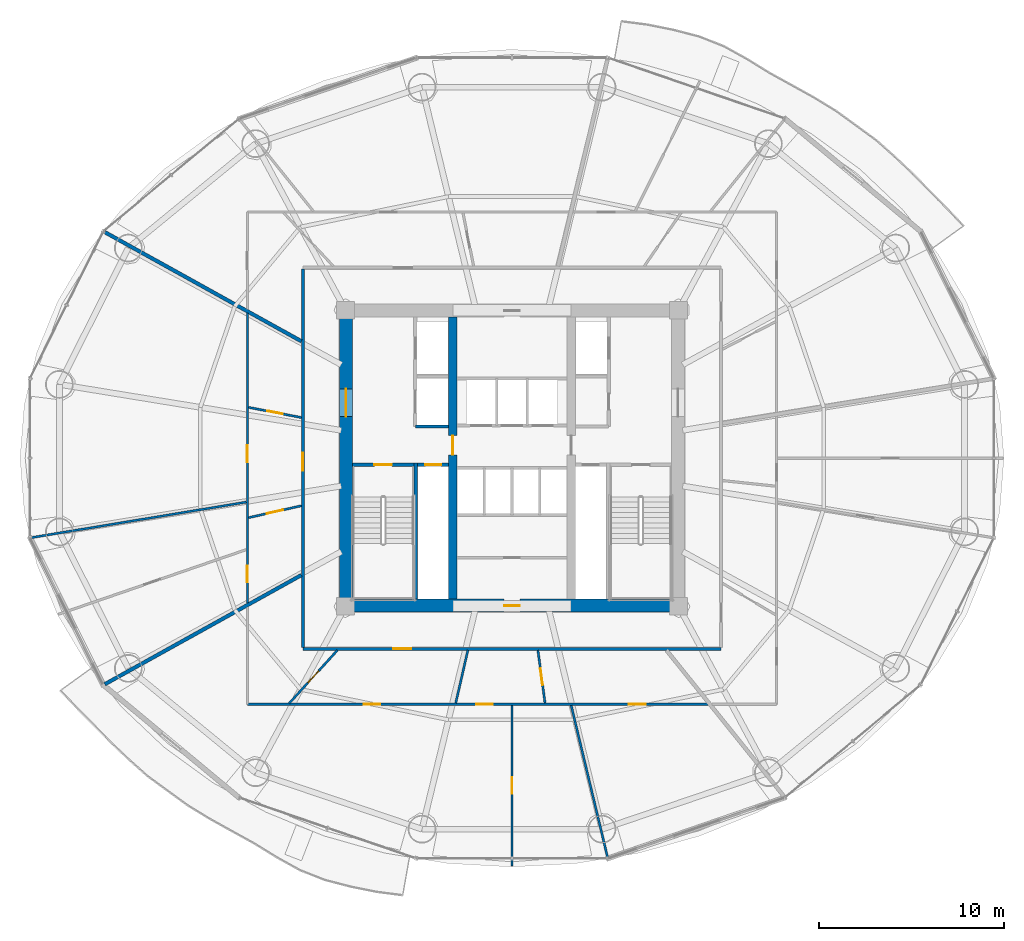
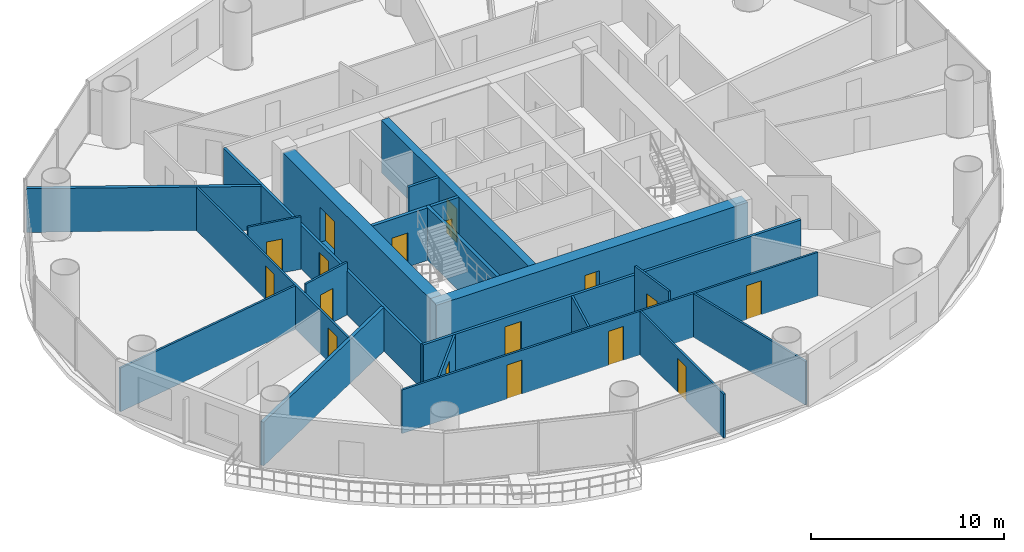
# One storey, part 22 of 29: 21 walls, 17 doors, 17 openings.
"""IFC4 building model written with IfcOpenShell, lengths in metres."""

from ifc_helpers import new_model, si_unit, direction, frame, frame_2d, origin, place, context, subcontext, project, spatial, rectangle, extrude, source, transform, mapped, material, layer, layer_set, type_object, element, fill, save


model = new_model("IFC4")

# Units and contexts
model_context = context("Model", 3, precision=1e-05, world=origin(), true_north=direction((-0.2419218956, 0.970295726276)))
body_context = subcontext(model_context, "Body", "Model", "MODEL_VIEW")
ifc_project = project(units=[si_unit("LENGTHUNIT", "METRE"), si_unit("AREAUNIT", "SQUARE_METRE"), si_unit("VOLUMEUNIT", "CUBIC_METRE"), si_unit("PLANEANGLEUNIT", "RADIAN"), si_unit("MASSUNIT", "GRAM", prefix="KILO")], contexts=[model_context])

# Site, building, storey
site_placement = place(None, origin())
site = spatial("IfcSite", under=ifc_project, at=site_placement, CompositionType="ELEMENT")
building_placement = place(site_placement, origin())
building = spatial("IfcBuilding", under=site, at=building_placement, Name="Cobrevalo Terracotta Tower", CompositionType="ELEMENT")
storey_placement = place(building_placement, frame((0.0, 0.0, 123.0)))
storey = spatial("IfcBuildingStorey", under=building, at=storey_placement, Name="L32", CompositionType="ELEMENT", Elevation=123.0)

# Wall, opening, door
ifc_material_1 = material(Name="Concrete C60", Category="concrete")
ifc_layer_1 = layer(ifc_material_1, 0.699951171875)
ifc_layer_set_1 = layer_set([ifc_layer_1], Name="Concrete C60")
wall_type_1 = type_object("IfcWallType", Name="Core shear wall 700 mm Concrete C60", PredefinedType="SHEAR", material=ifc_layer_set_1)
wall_1_placement = place(storey_placement, frame((28.675048828125, 18.824951171875, 0.0), z_axis=(0.0, 0.0, 1.0), x_axis=(1.0, 0.0, 0.0)))
wall_1 = element("IfcWall", 1, at=wall_1_placement, inside=storey, type_object=wall_type_1, Name="L32 south core shear wall", PredefinedType="SHEAR", context=body_context, shape_type="SweptSolid", body=[
    extrude(rectangle(XDim=18.64990234375, YDim=0.699951171875, at=frame_2d((9.324951171875, 0.0))), origin(), (0.0, 0.0, 1.0), 3.324951171875),
])
opening_1_placement = place(wall_1_placement, frame((8.89990234375, 0.0, 0.0)))
opening_1 = element("IfcOpeningElement", 2, at=opening_1_placement, cuts=wall_1, Name="Opening ID-22", PredefinedType="OPENING", context=body_context, shape_type="SweptSolid", body=[
    extrude(rectangle(XDim=0.85009765625, YDim=2.10009765625, at=frame_2d((0.425048828125, 1.050048828125))), frame((0.0, 0.35986328125, 0.0), z_axis=(0.0, -1.0, 0.0), x_axis=(1.0, 0.0, 0.0)), (0.0, 0.0, 1.0), 0.719970703125),
])
ifc_material_2 = material(Name="Powder-coated steel", Category="steel")
door_type_1 = type_object("IfcDoorType", Name="Riser shaft & meter closet fire access door 850x2100 EI 60", OperationType="NOTDEFINED", PredefinedType="DOOR", material=ifc_material_2)
shared_shape_1 = source(origin(), body_context, "Body", "SweptSolid", [
    extrude(rectangle(XDim=0.85009765625, YDim=2.10009765625, at=frame_2d((0.425048828125, 1.050048828125))), frame((0.0, 0.02490234375, 0.0), z_axis=(0.0, -1.0, 0.0), x_axis=(1.0, 0.0, 0.0)), (0.0, 0.0, 1.0), 0.050048828125),
])
door_1_placement = place(opening_1_placement, origin())
door_1 = element("IfcDoor", 3, at=door_1_placement, inside=storey, type_object=door_type_1, Name="L32 core south plant door Smoke Extract Fan Plant", OperationType="SINGLE_SWING_RIGHT", OverallHeight=2.10009765625, OverallWidth=0.85009765625, PredefinedType="DOOR", context=body_context, shape_type="MappedRepresentation", body=[
    mapped(shared_shape_1, transform((0.0, 0.0, 0.0), scale=1.0)),
])
fill(opening_1, door_1)

wall_2_placement = place(storey_placement, frame((29.02490234375, 19.175048828125, 0.0), z_axis=(0.0, 0.0, 1.0), x_axis=(0.0, 1.0, 0.0)))
wall_2 = element("IfcWall", 4, at=wall_2_placement, inside=storey, type_object=wall_type_1, Name="L32 west core shear wall", PredefinedType="SHEAR", context=body_context, shape_type="SweptSolid", body=[
    extrude(rectangle(XDim=15.25, YDim=0.699951171875, at=frame_2d((7.625, 0.0))), origin(), (0.0, 0.0, 1.0), 3.324951171875),
])
opening_2_placement = place(wall_2_placement, frame((9.875, 0.0, 0.0)))
opening_2 = element("IfcOpeningElement", 5, at=opening_2_placement, cuts=wall_2, Name="Opening ID-14", PredefinedType="OPENING", context=body_context, shape_type="SweptSolid", body=[
    extrude(rectangle(XDim=1.5, YDim=2.199951171875, at=frame_2d((0.75, 1.10009765625))), frame((0.0, 0.35986328125, 0.0), z_axis=(0.0, -1.0, 0.0), x_axis=(1.0, 0.0, 0.0)), (0.0, 0.0, 1.0), 0.719970703125),
])
ifc_material_3 = material(Name="Galvanized fire-rated steel", Category="steel")
door_type_2 = type_object("IfcDoorType", Name="Core cross-lobby double fire door 1500x2200 EI 90", OperationType="NOTDEFINED", PredefinedType="DOOR", material=ifc_material_3)
shared_shape_2 = source(origin(), body_context, "Body", "SweptSolid", [
    extrude(rectangle(XDim=1.5, YDim=2.199951171875, at=frame_2d((0.75, 1.10009765625))), frame((0.0, 0.02490234375, 0.0), z_axis=(0.0, -1.0, 0.0), x_axis=(1.0, 0.0, 0.0)), (0.0, 0.0, 1.0), 0.050048828125),
])
door_2_placement = place(opening_2_placement, origin())
door_2 = element("IfcDoor", 6, at=door_2_placement, inside=storey, type_object=door_type_2, Name="L32 west firefighting lobby entrance door", OperationType="DOUBLE_DOOR_SINGLE_SWING", OverallHeight=2.199951171875, OverallWidth=1.5, PredefinedType="DOOR", context=body_context, shape_type="MappedRepresentation", body=[
    mapped(shared_shape_2, transform((0.0, 0.0, 0.0), scale=1.0)),
])
fill(opening_2, door_2)

# Wall
ifc_material_4 = material(Name="Gypsum board on steel stud", Category="steel")
ifc_layer_2 = layer(ifc_material_4, 0.159912109375)
ifc_layer_set_2 = layer_set([ifc_layer_2], Name="Gypsum board on steel stud")
wall_type_2 = type_object("IfcWallType", Name="Fire-rated corridor acoustic partition wall 160 mm", PredefinedType="PARTITIONING", material=ifc_layer_set_2)
wall_3_placement = place(storey_placement, frame((32.77001953125, 28.52001953125, 0.0), z_axis=(0.0, 0.0, 1.0), x_axis=(1.0, 0.0, 0.0)))
element("IfcWall", 7, at=wall_3_placement, inside=storey, type_object=wall_type_2, Name="L32 interior partition IW-L32-FF1-S", PredefinedType="PARTITIONING", context=body_context, shape_type="SweptSolid", body=[
    extrude(rectangle(XDim=1.804931640625, YDim=0.159912109375, at=frame_2d((0.90234375, 0.0))), origin(), (0.0, 0.0, 1.0), 3.324951171875),
])

# Wall, opening, door
wall_4_placement = place(storey_placement, frame((26.695068359375, 16.4951171875, 0.0), z_axis=(0.0, 0.0, 1.0), x_axis=(1.0, 0.0, 0.0)))
wall_4 = element("IfcWall", 8, at=wall_4_placement, inside=storey, type_object=wall_type_2, Name="L32 interior partition IW-L32-COR-S", PredefinedType="PARTITIONING", context=body_context, shape_type="SweptSolid", body=[
    extrude(rectangle(XDim=22.60986328125, YDim=0.159912109375, at=frame_2d((11.304931640625, 0.0))), origin(), (0.0, 0.0, 1.0), 2.76708984375),
])
opening_3_placement = place(wall_4_placement, frame((4.88330078125, 0.0, 0.0)))
opening_3 = element("IfcOpeningElement", 9, at=opening_3_placement, cuts=wall_4, Name="Opening ID-05", PredefinedType="OPENING", context=body_context, shape_type="SweptSolid", body=[
    extrude(rectangle(XDim=0.97998046875, YDim=2.199951171875, at=frame_2d((0.489990234375, 1.10009765625))), frame((0.0, 0.08984375, 0.0), z_axis=(0.0, -1.0, 0.0), x_axis=(1.0, 0.0, 0.0)), (0.0, 0.0, 1.0), 0.179931640625),
])
ifc_material_5 = material(Name="Solid hardwood timber", Category="wood")
door_type_3 = type_object("IfcDoorType", Name="Residence entrance fire-rated acoustic timber door 980x2200 EI 60", OperationType="NOTDEFINED", PredefinedType="DOOR", material=ifc_material_5)
shared_shape_3 = source(origin(), body_context, "Body", "SweptSolid", [
    extrude(rectangle(XDim=0.97998046875, YDim=2.199951171875, at=frame_2d((0.489990234375, 1.10009765625))), frame((0.0, 0.02490234375, 0.0), z_axis=(0.0, -1.0, 0.0), x_axis=(1.0, 0.0, 0.0)), (0.0, 0.0, 1.0), 0.050048828125),
])
door_3_placement = place(opening_3_placement, frame((0.97998046875, 0.0, 0.0), z_axis=(0.0, 0.0, 1.0), x_axis=(-1.0, 0.0, 0.0)))
door_3 = element("IfcDoor", 10, at=door_3_placement, inside=storey, type_object=door_type_3, Name="Flat L32D fire-rated apartment entrance door", OperationType="SINGLE_SWING_RIGHT", OverallHeight=2.199951171875, OverallWidth=0.97998046875, PredefinedType="DOOR", context=body_context, shape_type="MappedRepresentation", body=[
    mapped(shared_shape_3, transform((0.0, 0.0, 0.0), scale=1.0)),
])
fill(opening_3, door_3)

wall_5_placement = place(storey_placement, frame((26.695068359375, 16.574951171875, 0.0), z_axis=(0.0, 0.0, 1.0), x_axis=(0.0, 1.0, 0.0)))
wall_5 = element("IfcWall", 11, at=wall_5_placement, inside=storey, type_object=wall_type_2, Name="L32 interior partition IW-L32-COR-W", PredefinedType="PARTITIONING", context=body_context, shape_type="SweptSolid", body=[
    extrude(rectangle(XDim=20.449951171875, YDim=0.159912109375, at=frame_2d((10.22509765625, 0.0))), origin(), (0.0, 0.0, 1.0), 2.76708984375),
])
opening_4_placement = place(wall_5_placement, frame((9.54736328125, 0.0, 0.0)))
opening_4 = element("IfcOpeningElement", 12, at=opening_4_placement, cuts=wall_5, Name="Opening ID-05", PredefinedType="OPENING", context=body_context, shape_type="SweptSolid", body=[
    extrude(rectangle(XDim=0.97998046875, YDim=2.199951171875, at=frame_2d((0.489990234375, 1.10009765625))), frame((0.0, 0.08984375, 0.0), z_axis=(0.0, -1.0, 0.0), x_axis=(1.0, 0.0, 0.0)), (0.0, 0.0, 1.0), 0.179931640625),
])
door_4_placement = place(opening_4_placement, origin())
door_4 = element("IfcDoor", 13, at=door_4_placement, inside=storey, type_object=door_type_3, Name="Flat L32C fire-rated apartment entrance door", OperationType="SINGLE_SWING_RIGHT", OverallHeight=2.199951171875, OverallWidth=0.97998046875, PredefinedType="DOOR", context=body_context, shape_type="MappedRepresentation", body=[
    mapped(shared_shape_3, transform((0.0, 0.0, 0.0), scale=1.0)),
])
fill(opening_4, door_4)

ifc_layer_3 = layer(ifc_material_4, 0.179931640625)
ifc_layer_set_3 = layer_set([ifc_layer_3], Name="Gypsum board on steel stud")
wall_type_3 = type_object("IfcWallType", Name="Fire-rated shaft & lobby acoustic partition wall 180 mm", PredefinedType="PARTITIONING", material=ifc_layer_set_3)
wall_6_placement = place(storey_placement, frame((32.89990234375, 26.449951171875, 0.0), z_axis=(0.0, 0.0, 1.0), x_axis=(1.0, 0.0, 0.0)))
wall_6 = element("IfcWall", 14, at=wall_6_placement, inside=storey, type_object=wall_type_3, Name="L32 interior partition IW-L32-RSW-N", PredefinedType="PARTITIONING", context=body_context, shape_type="SweptSolid", body=[
    extrude(rectangle(XDim=1.675048828125, YDim=0.179931640625, at=frame_2d((0.83740234375, 0.0))), origin(), (0.0, 0.0, 1.0), 3.324951171875),
])
opening_5_placement = place(wall_6_placement, frame((0.41259765625, 0.0, 0.0)))
opening_5 = element("IfcOpeningElement", 15, at=opening_5_placement, cuts=wall_6, Name="Opening ID-22", PredefinedType="OPENING", context=body_context, shape_type="SweptSolid", body=[
    extrude(rectangle(XDim=0.85009765625, YDim=2.10009765625, at=frame_2d((0.425048828125, 1.050048828125))), frame((0.0, 0.10009765625, 0.0), z_axis=(0.0, -1.0, 0.0), x_axis=(1.0, 0.0, 0.0)), (0.0, 0.0, 1.0), 0.199951171875),
])
door_5_placement = place(opening_5_placement, origin())
door_5 = element("IfcDoor", 16, at=door_5_placement, inside=storey, type_object=door_type_1, Name="L32 riser access door RSW", OperationType="SINGLE_SWING_LEFT", OverallHeight=2.10009765625, OverallWidth=0.85009765625, PredefinedType="DOOR", context=body_context, shape_type="MappedRepresentation", body=[
    mapped(shared_shape_1, transform((0.0, 0.0, 0.0), scale=1.0)),
])
fill(opening_5, door_5)

# Walls
ifc_material_6 = material(Name="Autoclaved aerated concrete block", Category="concrete")
ifc_layer_4 = layer(ifc_material_6, 0.199951171875)
ifc_layer_set_4 = layer_set([ifc_layer_4], Name="Autoclaved aerated concrete block")
wall_type_4 = type_object("IfcWallType", Name="Fire-rated stair, shaft & demising masonry wall 200 mm", PredefinedType="PARTITIONING", material=ifc_layer_set_4)
wall_7_placement = place(storey_placement, frame((26.614990234375, 33.120361328125, 0.0), z_axis=(0.0, 0.0, 1.0), x_axis=(-0.874319192772, 0.485351366692, 0.0)))
element("IfcWall", 17, at=wall_7_placement, inside=storey, type_object=wall_type_4, Name="L32 interior partition IW-L32-DEM-3", PredefinedType="PARTITIONING", context=body_context, shape_type="SweptSolid", body=[
    extrude(rectangle(XDim=12.158447265625, YDim=0.199951171875, at=frame_2d((6.0791015625, 0.0))), origin(), (0.0, 0.0, 1.0), 2.76708984375),
])
wall_8_placement = place(storey_placement, frame((26.614990234375, 20.479736328125, 0.0), z_axis=(0.0, 0.0, 1.0), x_axis=(-0.874310671773, -0.48536671623, 0.0)))
element("IfcWall", 18, at=wall_8_placement, inside=storey, type_object=wall_type_4, Name="L32 interior partition IW-L32-DEM-4", PredefinedType="PARTITIONING", context=body_context, shape_type="SweptSolid", body=[
    extrude(rectangle(XDim=12.15869140625, YDim=0.199951171875, at=frame_2d((6.079345703125, 0.0))), origin(), (0.0, 0.0, 1.0), 2.76708984375),
])

# Wall, opening, door
ifc_material_7 = material(Name="Concrete C55", Category="concrete")
ifc_layer_5 = layer(ifc_material_7, 0.449951171875)
ifc_layer_set_5 = layer_set([ifc_layer_5], Name="Concrete C55")
wall_type_5 = type_object("IfcWallType", Name="Internal core shear web wall 450 mm Concrete C55", PredefinedType="SHEAR", material=ifc_layer_set_5)
wall_9_placement = place(storey_placement, frame((34.800048828125, 19.175048828125, 0.0), z_axis=(0.0, 0.0, 1.0), x_axis=(0.0, 1.0, 0.0)))
wall_9 = element("IfcWall", 19, at=wall_9_placement, inside=storey, type_object=wall_type_5, Name="L32 internal core shear wall WEB-W", PredefinedType="SHEAR", context=body_context, shape_type="SweptSolid", body=[
    extrude(rectangle(XDim=15.25, YDim=0.449951171875, at=frame_2d((7.625, 0.0))), origin(), (0.0, 0.0, 1.0), 3.324951171875),
])
opening_6_placement = place(wall_9_placement, frame((7.800048828125, 0.0, 0.0)))
opening_6 = element("IfcOpeningElement", 20, at=opening_6_placement, cuts=wall_9, Name="Opening ID-11", PredefinedType="OPENING", context=body_context, shape_type="SweptSolid", body=[
    extrude(rectangle(XDim=1.050048828125, YDim=2.14990234375, at=frame_2d((0.52490234375, 1.074951171875))), frame((0.0, 0.23486328125, 0.0), z_axis=(0.0, -1.0, 0.0), x_axis=(1.0, 0.0, 0.0)), (0.0, 0.0, 1.0), 0.469970703125),
])
door_type_4 = type_object("IfcDoorType", Name="Core concourse cross fire door 1050x2150 EI 90", OperationType="NOTDEFINED", PredefinedType="DOOR", material=ifc_material_3)
shared_shape_4 = source(origin(), body_context, "Body", "SweptSolid", [
    extrude(rectangle(XDim=1.050048828125, YDim=2.14990234375, at=frame_2d((0.52490234375, 1.074951171875))), frame((0.0, 0.02490234375, 0.0), z_axis=(0.0, -1.0, 0.0), x_axis=(1.0, 0.0, 0.0)), (0.0, 0.0, 1.0), 0.050048828125),
])
door_6_placement = place(opening_6_placement, origin())
door_6 = element("IfcDoor", 21, at=door_6_placement, inside=storey, type_object=door_type_4, Name="L32 west core concourse cross door", OperationType="SINGLE_SWING_LEFT", OverallHeight=2.14990234375, OverallWidth=1.050048828125, PredefinedType="DOOR", context=body_context, shape_type="MappedRepresentation", body=[
    mapped(shared_shape_4, transform((0.0, 0.0, 0.0), scale=1.0)),
])
fill(opening_6, door_6)

# Wall, openings, doors
ifc_layer_6 = layer(ifc_material_4, 0.1201171875)
ifc_layer_set_6 = layer_set([ifc_layer_6], Name="Gypsum board on steel stud")
wall_type_6 = type_object("IfcWallType", Name="Residential internal acoustic stud partition 120 mm", PredefinedType="PARTITIONING", material=ifc_layer_set_6)
wall_10_placement = place(storey_placement, frame((23.695068359375, 18.960693359375, 0.0), z_axis=(0.0, 0.0, 1.0), x_axis=(0.0, 1.0, 0.0)))
wall_10 = element("IfcWall", 22, at=wall_10_placement, inside=storey, type_object=wall_type_6, Name="L32 interior partition IW-L32-U3-RING0_0", PredefinedType="PARTITIONING", context=body_context, shape_type="SweptSolid", body=[
    extrude(rectangle(XDim=15.6787109375, YDim=0.1201171875, at=frame_2d((7.83935546875, 0.0))), origin(), (0.0, 0.0, 1.0), 2.76708984375),
])
opening_7_placement = place(wall_10_placement, frame((7.62548828125, 0.0, 0.0)))
opening_7 = element("IfcOpeningElement", 23, at=opening_7_placement, cuts=wall_10, Name="Opening ID-12", PredefinedType="OPENING", context=body_context, shape_type="SweptSolid", body=[
    extrude(rectangle(XDim=0.89990234375, YDim=2.14990234375, at=frame_2d((0.449951171875, 1.074951171875))), frame((0.0, 0.070068359375, 0.0), z_axis=(0.0, -1.0, 0.0), x_axis=(1.0, 0.0, 0.0)), (0.0, 0.0, 1.0), 0.14013671875),
])
opening_8_placement = place(wall_10_placement, frame((1.128173828125, 0.0, 0.0)))
opening_8 = element("IfcOpeningElement", 24, at=opening_8_placement, cuts=wall_10, Name="Opening ID-12", PredefinedType="OPENING", context=body_context, shape_type="SweptSolid", body=[
    extrude(rectangle(XDim=0.89990234375, YDim=2.14990234375, at=frame_2d((0.449951171875, 1.074951171875))), frame((0.0, 0.070068359375, 0.0), z_axis=(0.0, -1.0, 0.0), x_axis=(1.0, 0.0, 0.0)), (0.0, 0.0, 1.0), 0.14013671875),
])
ifc_material_8 = material(Name="Engineered timber", Category="wood")
door_type_5 = type_object("IfcDoorType", Name="Internal residence & suite timber door 900x2150", OperationType="NOTDEFINED", PredefinedType="DOOR", material=ifc_material_8)
shared_shape_5 = source(origin(), body_context, "Body", "SweptSolid", [
    extrude(rectangle(XDim=0.89990234375, YDim=2.14990234375, at=frame_2d((0.449951171875, 1.074951171875))), frame((0.0, 0.02490234375, 0.0), z_axis=(0.0, -1.0, 0.0), x_axis=(1.0, 0.0, 0.0)), (0.0, 0.0, 1.0), 0.050048828125),
])
door_7_placement = place(opening_7_placement, origin())
door_7 = element("IfcDoor", 25, at=door_7_placement, inside=storey, type_object=door_type_5, Name="Flat L32C Penthouse Living and Dining Room internal door", OperationType="SINGLE_SWING_RIGHT", OverallHeight=2.14990234375, OverallWidth=0.89990234375, PredefinedType="DOOR", context=body_context, shape_type="MappedRepresentation", body=[
    mapped(shared_shape_5, transform((0.0, 0.0, 0.0), scale=1.0)),
])
fill(opening_7, door_7)
door_8_placement = place(opening_8_placement, origin())
door_8 = element("IfcDoor", 26, at=door_8_placement, inside=storey, type_object=door_type_5, Name="Flat L32C Penthouse Family Lounge internal door", OperationType="SINGLE_SWING_RIGHT", OverallHeight=2.14990234375, OverallWidth=0.89990234375, PredefinedType="DOOR", context=body_context, shape_type="MappedRepresentation", body=[
    mapped(shared_shape_5, transform((0.0, 0.0, 0.0), scale=1.0)),
])
fill(opening_8, door_8)

# Wall
wall_11_placement = place(storey_placement, frame((23.6337890625, 24.42578125, 0.0), z_axis=(0.0, 0.0, 1.0), x_axis=(-0.986619012175, -0.163042708564, 0.0)))
element("IfcWall", 27, at=wall_11_placement, inside=storey, type_object=wall_type_6, Name="L32 interior partition IW-L32-U3-ORAD1", PredefinedType="PARTITIONING", context=body_context, shape_type="SweptSolid", body=[
    extrude(rectangle(XDim=11.76513671875, YDim=0.1201171875, at=frame_2d((5.882568359375, 0.0))), origin(), (0.0, 0.0, 1.0), 2.76708984375),
])

# Wall, opening, door
wall_12_placement = place(storey_placement, frame((26.614990234375, 28.996337890625, 0.0), z_axis=(0.0, 0.0, 1.0), x_axis=(-0.98189924136, 0.189404012145, 0.0)))
wall_12 = element("IfcWall", 28, at=wall_12_placement, inside=storey, type_object=wall_type_6, Name="L32 interior partition IW-L32-U3-IRAD1", PredefinedType="PARTITIONING", context=body_context, shape_type="SweptSolid", body=[
    extrude(rectangle(XDim=2.911865234375, YDim=0.1201171875, at=frame_2d((1.4560546875, 0.0))), origin(), (0.0, 0.0, 1.0), 3.324951171875),
])
opening_9_placement = place(wall_12_placement, frame((1.02587890625, 0.0, 0.0)))
opening_9 = element("IfcOpeningElement", 29, at=opening_9_placement, cuts=wall_12, Name="Opening ID-19", PredefinedType="OPENING", context=body_context, shape_type="SweptSolid", body=[
    extrude(rectangle(XDim=0.860107421875, YDim=2.14990234375, at=frame_2d((0.43017578125, 1.074951171875))), frame((0.0, 0.070068359375, 0.0), z_axis=(0.0, -1.0, 0.0), x_axis=(1.0, 0.0, 0.0)), (0.0, 0.0, 1.0), 0.14013671875),
])
ifc_material_9 = material(Name="Moisture-sealed timber", Category="wood")
door_type_6 = type_object("IfcDoorType", Name="Suite bathroom internal timber door 860x2150", OperationType="NOTDEFINED", PredefinedType="DOOR", material=ifc_material_9)
shared_shape_6 = source(origin(), body_context, "Body", "SweptSolid", [
    extrude(rectangle(XDim=0.860107421875, YDim=2.14990234375, at=frame_2d((0.43017578125, 1.074951171875))), frame((0.0, 0.02490234375, 0.0), z_axis=(0.0, -1.0, 0.0), x_axis=(1.0, 0.0, 0.0)), (0.0, 0.0, 1.0), 0.050048828125),
])
door_9_placement = place(opening_9_placement, frame((0.860107421875, 0.0, 0.0), z_axis=(0.0, 0.0, 1.0), x_axis=(-1.0, 0.0, 0.0)))
door_9 = element("IfcDoor", 30, at=door_9_placement, inside=storey, type_object=door_type_6, Name="Flat L32C Primary Bathroom internal door", OperationType="SINGLE_SWING_LEFT", OverallHeight=2.14990234375, OverallWidth=0.860107421875, PredefinedType="DOOR", context=body_context, shape_type="MappedRepresentation", body=[
    mapped(shared_shape_6, transform((0.0, 0.0, 0.0), scale=1.0)),
])
fill(opening_9, door_9)

wall_13_placement = place(storey_placement, frame((26.614990234375, 24.22802734375, 0.0), z_axis=(0.0, 0.0, 1.0), x_axis=(-0.975420797165, -0.220350331196, 0.0)))
wall_13 = element("IfcWall", 31, at=wall_13_placement, inside=storey, type_object=wall_type_6, Name="L32 interior partition IW-L32-U3-IRAD2", PredefinedType="PARTITIONING", context=body_context, shape_type="SweptSolid", body=[
    extrude(rectangle(XDim=2.931640625, YDim=0.1201171875, at=frame_2d((1.4658203125, 0.0))), origin(), (0.0, 0.0, 1.0), 3.324951171875),
])
opening_10_placement = place(wall_13_placement, frame((1.015869140625, 0.0, 0.0)))
opening_10 = element("IfcOpeningElement", 32, at=opening_10_placement, cuts=wall_13, Name="Opening ID-12", PredefinedType="OPENING", context=body_context, shape_type="SweptSolid", body=[
    extrude(rectangle(XDim=0.89990234375, YDim=2.14990234375, at=frame_2d((0.449951171875, 1.074951171875))), frame((0.0, 0.070068359375, 0.0), z_axis=(0.0, -1.0, 0.0), x_axis=(1.0, 0.0, 0.0)), (0.0, 0.0, 1.0), 0.14013671875),
])
door_10_placement = place(opening_10_placement, origin())
door_10 = element("IfcDoor", 33, at=door_10_placement, inside=storey, type_object=door_type_5, Name="Flat L32C Kitchen internal door", OperationType="SINGLE_SWING_LEFT", OverallHeight=2.14990234375, OverallWidth=0.89990234375, PredefinedType="DOOR", context=body_context, shape_type="MappedRepresentation", body=[
    mapped(shared_shape_5, transform((0.0, 0.0, 0.0), scale=1.0)),
])
fill(opening_10, door_10)

# Wall, openings, doors
wall_14_placement = place(storey_placement, frame((48.598388671875, 13.4951171875, 0.0), z_axis=(0.0, 0.0, 1.0), x_axis=(-1.0, 0.0, 0.0)))
wall_14 = element("IfcWall", 34, at=wall_14_placement, inside=storey, type_object=wall_type_6, Name="L32 interior partition IW-L32-U4-RING0_0", PredefinedType="PARTITIONING", context=body_context, shape_type="SweptSolid", body=[
    extrude(rectangle(XDim=24.9033203125, YDim=0.1201171875, at=frame_2d((12.45166015625, 0.0))), origin(), (0.0, 0.0, 1.0), 2.76708984375),
])
opening_11_placement = place(wall_14_placement, frame((17.720458984375, 0.0, 0.0)))
opening_11 = element("IfcOpeningElement", 35, at=opening_11_placement, cuts=wall_14, Name="Opening ID-12", PredefinedType="OPENING", context=body_context, shape_type="SweptSolid", body=[
    extrude(rectangle(XDim=0.89990234375, YDim=2.14990234375, at=frame_2d((0.449951171875, 1.074951171875))), frame((0.0, 0.070068359375, 0.0), z_axis=(0.0, -1.0, 0.0), x_axis=(1.0, 0.0, 0.0)), (0.0, 0.0, 1.0), 0.14013671875),
])
opening_12_placement = place(wall_14_placement, frame((11.636962890625, 0.0, 0.0)))
opening_12 = element("IfcOpeningElement", 36, at=opening_12_placement, cuts=wall_14, Name="Opening ID-12", PredefinedType="OPENING", context=body_context, shape_type="SweptSolid", body=[
    extrude(rectangle(XDim=0.89990234375, YDim=2.14990234375, at=frame_2d((0.449951171875, 1.074951171875))), frame((0.0, 0.070068359375, 0.0), z_axis=(0.0, -1.0, 0.0), x_axis=(1.0, 0.0, 0.0)), (0.0, 0.0, 1.0), 0.14013671875),
])
opening_13_placement = place(wall_14_placement, frame((3.376220703125, 0.0, 0.0)))
opening_13 = element("IfcOpeningElement", 37, at=opening_13_placement, cuts=wall_14, Name="Opening ID-12", PredefinedType="OPENING", context=body_context, shape_type="SweptSolid", body=[
    extrude(rectangle(XDim=0.89990234375, YDim=2.14990234375, at=frame_2d((0.449951171875, 1.074951171875))), frame((0.0, 0.070068359375, 0.0), z_axis=(0.0, -1.0, 0.0), x_axis=(1.0, 0.0, 0.0)), (0.0, 0.0, 1.0), 0.14013671875),
])
door_11_placement = place(opening_11_placement, origin())
door_11 = element("IfcDoor", 38, at=door_11_placement, inside=storey, type_object=door_type_5, Name="Flat L32D Penthouse Living and Dining Room internal door", OperationType="SINGLE_SWING_RIGHT", OverallHeight=2.14990234375, OverallWidth=0.89990234375, PredefinedType="DOOR", context=body_context, shape_type="MappedRepresentation", body=[
    mapped(shared_shape_5, transform((0.0, 0.0, 0.0), scale=1.0)),
])
fill(opening_11, door_11)
door_12_placement = place(opening_12_placement, frame((0.89990234375, 0.0, 0.0), z_axis=(0.0, 0.0, 1.0), x_axis=(-1.0, 0.0, 0.0)))
door_12 = element("IfcDoor", 39, at=door_12_placement, inside=storey, type_object=door_type_5, Name="Flat L32D Kitchen internal door", OperationType="SINGLE_SWING_LEFT", OverallHeight=2.14990234375, OverallWidth=0.89990234375, PredefinedType="DOOR", context=body_context, shape_type="MappedRepresentation", body=[
    mapped(shared_shape_5, transform((0.0, 0.0, 0.0), scale=1.0)),
])
fill(opening_12, door_12)
door_13_placement = place(opening_13_placement, origin())
door_13 = element("IfcDoor", 40, at=door_13_placement, inside=storey, type_object=door_type_5, Name="Flat L32D Penthouse Family Lounge internal door", OperationType="SINGLE_SWING_RIGHT", OverallHeight=2.14990234375, OverallWidth=0.89990234375, PredefinedType="DOOR", context=body_context, shape_type="MappedRepresentation", body=[
    mapped(shared_shape_5, transform((0.0, 0.0, 0.0), scale=1.0)),
])
fill(opening_13, door_13)

# Wall, opening, door
wall_15_placement = place(storey_placement, frame((38.0, 13.43310546875, 0.0), z_axis=(0.0, 0.0, 1.0), x_axis=(0.0, -1.0, 0.0)))
wall_15 = element("IfcWall", 41, at=wall_15_placement, inside=storey, type_object=wall_type_6, Name="L32 interior partition IW-L32-U4-ORAD1", PredefinedType="PARTITIONING", context=body_context, shape_type="SweptSolid", body=[
    extrude(rectangle(XDim=8.673095703125, YDim=0.1201171875, at=frame_2d((4.33642578125, 0.0))), origin(), (0.0, 0.0, 1.0), 2.76708984375),
])
opening_14_placement = place(wall_15_placement, frame((3.886474609375, 0.0, 0.0)))
opening_14 = element("IfcOpeningElement", 42, at=opening_14_placement, cuts=wall_15, Name="Opening ID-12", PredefinedType="OPENING", context=body_context, shape_type="SweptSolid", body=[
    extrude(rectangle(XDim=0.89990234375, YDim=2.14990234375, at=frame_2d((0.449951171875, 1.074951171875))), frame((0.0, 0.070068359375, 0.0), z_axis=(0.0, -1.0, 0.0), x_axis=(1.0, 0.0, 0.0)), (0.0, 0.0, 1.0), 0.14013671875),
])
door_14_placement = place(opening_14_placement, origin())
door_14 = element("IfcDoor", 43, at=door_14_placement, inside=storey, type_object=door_type_5, Name="Flat L32D Master Bedroom internal door", OperationType="SINGLE_SWING_LEFT", OverallHeight=2.14990234375, OverallWidth=0.89990234375, PredefinedType="DOOR", context=body_context, shape_type="MappedRepresentation", body=[
    mapped(shared_shape_5, transform((0.0, 0.0, 0.0), scale=1.0)),
])
fill(opening_14, door_14)

# Wall
wall_16_placement = place(storey_placement, frame((41.199951171875, 13.434814453125, 0.0), z_axis=(0.0, 0.0, 1.0), x_axis=(0.232814779051, -0.972521094196, 0.0)))
element("IfcWall", 44, at=wall_16_placement, inside=storey, type_object=wall_type_6, Name="L32 interior partition IW-L32-U4-ORAD2M1", PredefinedType="PARTITIONING", context=body_context, shape_type="SweptSolid", body=[
    extrude(rectangle(XDim=8.4375, YDim=0.1201171875, at=frame_2d((4.21875, 0.0))), origin(), (0.0, 0.0, 1.0), 2.76708984375),
])

# Wall, opening, door
wall_17_placement = place(storey_placement, frame((28.560791015625, 16.4150390625, 0.0), z_axis=(0.0, 0.0, 1.0), x_axis=(-0.672578928456, -0.740025394833, 0.0)))
wall_17 = element("IfcWall", 45, at=wall_17_placement, inside=storey, type_object=wall_type_6, Name="L32 interior partition IW-L32-U4-IRAD1", PredefinedType="PARTITIONING", context=body_context, shape_type="SweptSolid", body=[
    extrude(rectangle(XDim=3.884033203125, YDim=0.1201171875, at=frame_2d((1.94189453125, 0.0))), origin(), (0.0, 0.0, 1.0), 2.76708984375),
])
opening_15_placement = place(wall_17_placement, frame((1.511962890625, 0.0, 0.0)))
opening_15 = element("IfcOpeningElement", 46, at=opening_15_placement, cuts=wall_17, Name="Opening ID-19", PredefinedType="OPENING", context=body_context, shape_type="SweptSolid", body=[
    extrude(rectangle(XDim=0.860107421875, YDim=2.14990234375, at=frame_2d((0.43017578125, 1.074951171875))), frame((0.0, 0.070068359375, 0.0), z_axis=(0.0, -1.0, 0.0), x_axis=(1.0, 0.0, 0.0)), (0.0, 0.0, 1.0), 0.14013671875),
])
door_15_placement = place(opening_15_placement, frame((0.860107421875, 0.0, 0.0), z_axis=(0.0, 0.0, 1.0), x_axis=(-1.0, 0.0, 0.0)))
door_15 = element("IfcDoor", 47, at=door_15_placement, inside=storey, type_object=door_type_6, Name="Flat L32D Primary Bathroom internal door", OperationType="SINGLE_SWING_LEFT", OverallHeight=2.14990234375, OverallWidth=0.860107421875, PredefinedType="DOOR", context=body_context, shape_type="MappedRepresentation", body=[
    mapped(shared_shape_6, transform((0.0, 0.0, 0.0), scale=1.0)),
])
fill(opening_15, door_15)

# Wall
wall_18_placement = place(storey_placement, frame((35.613525390625, 16.4150390625, 0.0), z_axis=(0.0, 0.0, 1.0), x_axis=(-0.223911395669, -0.974609504822, 0.0)))
element("IfcWall", 48, at=wall_18_placement, inside=storey, type_object=wall_type_6, Name="L32 interior partition IW-L32-U4-IRAD2", PredefinedType="PARTITIONING", context=body_context, shape_type="SweptSolid", body=[
    extrude(rectangle(XDim=2.93408203125, YDim=0.1201171875, at=frame_2d((1.467041015625, 0.0))), origin(), (0.0, 0.0, 1.0), 2.76708984375),
])

# Wall, opening, door
wall_19_placement = place(storey_placement, frame((39.4013671875, 16.4150390625, 0.0), z_axis=(0.0, 0.0, 1.0), x_axis=(0.133726943496, -0.99101821607, 0.0)))
wall_19 = element("IfcWall", 49, at=wall_19_placement, inside=storey, type_object=wall_type_6, Name="L32 interior partition IW-L32-U4-IRAD3", PredefinedType="PARTITIONING", context=body_context, shape_type="SweptSolid", body=[
    extrude(rectangle(XDim=2.884521484375, YDim=0.1201171875, at=frame_2d((1.4423828125, 0.0))), origin(), (0.0, 0.0, 1.0), 3.324951171875),
])
opening_16_placement = place(wall_19_placement, frame((0.9921875, 0.0, 0.0)))
opening_16 = element("IfcOpeningElement", 50, at=opening_16_placement, cuts=wall_19, Name="Opening ID-12", PredefinedType="OPENING", context=body_context, shape_type="SweptSolid", body=[
    extrude(rectangle(XDim=0.89990234375, YDim=2.14990234375, at=frame_2d((0.449951171875, 1.074951171875))), frame((0.0, 0.070068359375, 0.0), z_axis=(0.0, -1.0, 0.0), x_axis=(1.0, 0.0, 0.0)), (0.0, 0.0, 1.0), 0.14013671875),
])
door_16_placement = place(opening_16_placement, origin())
door_16 = element("IfcDoor", 51, at=door_16_placement, inside=storey, type_object=door_type_5, Name="Flat L32D Private Wellness Room internal door", OperationType="SINGLE_SWING_RIGHT", OverallHeight=2.14990234375, OverallWidth=0.89990234375, PredefinedType="DOOR", context=body_context, shape_type="MappedRepresentation", body=[
    mapped(shared_shape_5, transform((0.0, 0.0, 0.0), scale=1.0)),
])
fill(opening_16, door_16)

# Wall
ifc_material_10 = material(Name="Concrete C50", Category="concrete")
ifc_layer_7 = layer(ifc_material_10, 0.199951171875)
ifc_layer_set_7 = layer_set([ifc_layer_7], Name="Concrete C50")
wall_type_7 = type_object("IfcWallType", Name="Structural core & podium stair-shaft RC wall 200 mm Concrete C50", PredefinedType="SOLIDWALL", material=ifc_layer_set_7)
wall_20_placement = place(storey_placement, frame((32.794921875, 19.175048828125, 0.0), z_axis=(0.0, 0.0, 1.0), x_axis=(0.0, 1.0, 0.0)))
element("IfcWall", 52, at=wall_20_placement, inside=storey, type_object=wall_type_7, Name="L32 ST-1 east structural shaft wall", PredefinedType="SOLIDWALL", context=body_context, shape_type="SweptSolid", body=[
    extrude(rectangle(XDim=7.375, YDim=0.199951171875, at=frame_2d((3.6875, 0.0))), origin(), (0.0, 0.0, 1.0), 3.324951171875),
])

# Wall, opening, door
wall_21_placement = place(storey_placement, frame((29.375, 26.449951171875, 0.0), z_axis=(0.0, 0.0, 1.0), x_axis=(1.0, 0.0, 0.0)))
wall_21 = element("IfcWall", 53, at=wall_21_placement, inside=storey, type_object=wall_type_7, Name="L32 ST-1 north structural shaft wall", PredefinedType="SOLIDWALL", context=body_context, shape_type="SweptSolid", body=[
    extrude(rectangle(XDim=3.320068359375, YDim=0.199951171875, at=frame_2d((1.66015625, 0.0))), origin(), (0.0, 0.0, 1.0), 3.324951171875),
])
opening_17_placement = place(wall_21_placement, frame((1.18505859375, 0.0, 0.0)))
opening_17 = element("IfcOpeningElement", 54, at=opening_17_placement, cuts=wall_21, Name="Opening ID-04", PredefinedType="OPENING", context=body_context, shape_type="SweptSolid", body=[
    extrude(rectangle(XDim=0.949951171875, YDim=2.14990234375, at=frame_2d((0.47509765625, 1.074951171875))), frame((0.0, 0.10986328125, 0.0), z_axis=(0.0, -1.0, 0.0), x_axis=(1.0, 0.0, 0.0)), (0.0, 0.0, 1.0), 0.219970703125),
])
door_type_7 = type_object("IfcDoorType", Name="Stair & firefighting lobby fire door 950x2150 EI 90", OperationType="NOTDEFINED", PredefinedType="DOOR", material=ifc_material_3)
shared_shape_7 = source(origin(), body_context, "Body", "SweptSolid", [
    extrude(rectangle(XDim=0.949951171875, YDim=2.14990234375, at=frame_2d((0.47509765625, 1.074951171875))), frame((0.0, 0.02490234375, 0.0), z_axis=(0.0, -1.0, 0.0), x_axis=(1.0, 0.0, 0.0)), (0.0, 0.0, 1.0), 0.050048828125),
])
door_17_placement = place(opening_17_placement, origin())
door_17 = element("IfcDoor", 55, at=door_17_placement, inside=storey, type_object=door_type_7, Name="L32 protected stair ST1 fire door", OperationType="SINGLE_SWING_LEFT", OverallHeight=2.14990234375, OverallWidth=0.949951171875, PredefinedType="DOOR", context=body_context, shape_type="MappedRepresentation", body=[
    mapped(shared_shape_7, transform((0.0, 0.0, 0.0), scale=1.0)),
])
fill(opening_17, door_17)

save(model, "model.ifc")
